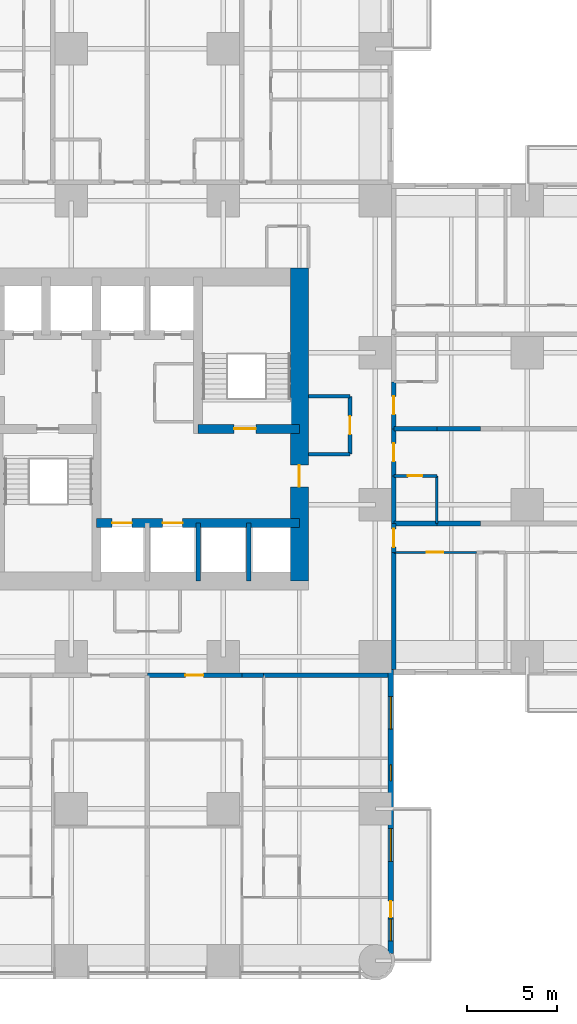
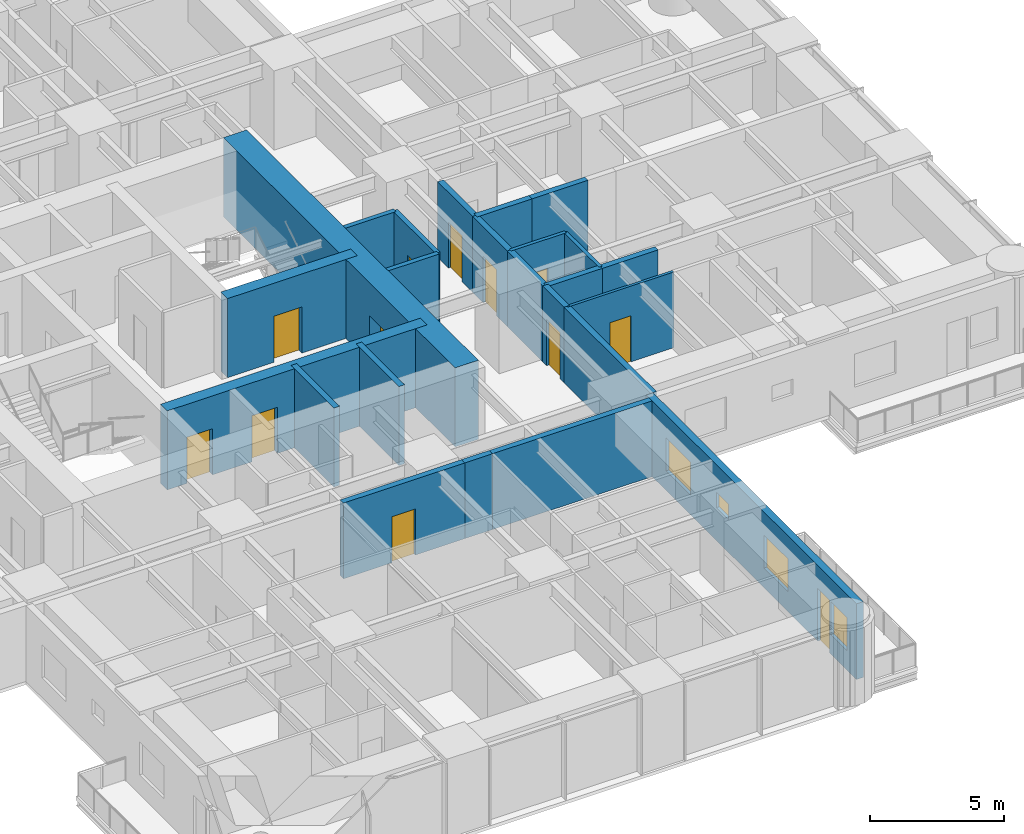
# One storey, part 10 of 17: 24 walls, 12 doors, 4 windows, 16 openings.
"""IFC4 building model written with IfcOpenShell, lengths in metres."""

from ifc_helpers import new_model, si_unit, direction, frame, frame_2d, origin, place, context, subcontext, project, spatial, rectangle, extrude, material, layer, layer_set, type_object, element, fill, save


model = new_model("IFC4")

# Units and contexts
model_context = context("Model", 3, precision=1e-05, world=origin(), true_north=direction((0.0, 1.0)))
body_context = subcontext(model_context, "Body", "Model", "MODEL_VIEW")
ifc_project = project(units=[si_unit("LENGTHUNIT", "METRE"), si_unit("AREAUNIT", "SQUARE_METRE"), si_unit("VOLUMEUNIT", "CUBIC_METRE"), si_unit("PLANEANGLEUNIT", "RADIAN"), si_unit("MASSUNIT", "GRAM", prefix="KILO")], contexts=[model_context])

# Site, building, storey
site_placement = place(None, origin())
site = spatial("IfcSite", under=ifc_project, at=site_placement, CompositionType="ELEMENT")
building_placement = place(site_placement, origin())
building = spatial("IfcBuilding", under=site, at=building_placement, Name="Torre Alcanfor", CompositionType="ELEMENT")
storey_placement = place(building_placement, frame((0.0, 0.0, 84.89990234375)))
storey = spatial("IfcBuildingStorey", under=building, at=storey_placement, Name="L21", CompositionType="ELEMENT", Elevation=84.89990234375)

# Wall, opening, door
ifc_material_1 = material(Name="Concrete block masonry, hollow blocks NMX-C-404 9 MPa", Category="masonry")
ifc_layer_1 = layer(ifc_material_1, 0.25)
ifc_layer_set_1 = layer_set([ifc_layer_1], Name="Apartment entrance wall 250 EI 60")
wall_type_1 = type_object("IfcWallType", Name="Apartment entrance wall 250 EI 60", PredefinedType="PARTITIONING", material=ifc_layer_set_1)
wall_1_placement = place(storey_placement, frame((43.02490234375, 32.0, 0.0), z_axis=(0.0, 0.0, 1.0), x_axis=(0.0, -1.0, 0.0)))
wall_1 = element("IfcWall", 1, at=wall_1_placement, inside=storey, type_object=wall_type_1, Name="Partition L21-CORR / L21-E1A-FOYER", PredefinedType="PARTITIONING", context=body_context, shape_type="SweptSolid", body=[
    extrude(rectangle(XDim=2.60009765625, YDim=0.25, at=frame_2d((1.300048828125, 0.0))), origin(), (0.0, 0.0, 1.0), 3.4501953125),
])
opening_1_placement = place(wall_1_placement, frame((0.800048828125, 0.0, 0.0)))
opening_1 = element("IfcOpeningElement", 2, at=opening_1_placement, cuts=wall_1, Name="Opening D-A1", PredefinedType="OPENING", context=body_context, shape_type="SweptSolid", body=[
    extrude(rectangle(XDim=1.0, YDim=2.10009765625, at=frame_2d((0.5, 1.050048828125))), frame((0.0, 0.135009765625, 0.0), z_axis=(0.0, -1.0, 0.0), x_axis=(1.0, 0.0, 0.0)), (0.0, 0.0, 1.0), 0.27001953125),
])
ifc_material_2 = material(Name="Galvanised steel sheet ASTM A653", Category="steel")
door_type_1 = type_object("IfcDoorType", Name="Apartment entrance door FD60 1000x2100", OperationType="SINGLE_SWING_LEFT", PredefinedType="DOOR", material=ifc_material_2)
door_1_placement = place(opening_1_placement, origin())
door_1 = element("IfcDoor", 3, at=door_1_placement, inside=storey, type_object=door_type_1, Name="Apartment entrance L21-E1A", OperationType="SINGLE_SWING_LEFT", OverallHeight=2.10009765625, OverallWidth=1.0, PredefinedType="DOOR", context=body_context, shape_type="SweptSolid", body=[
    extrude(rectangle(XDim=1.0, YDim=2.10009765625, at=frame_2d((0.5, 1.050048828125))), frame((0.0, 0.02490234375, 0.0), z_axis=(0.0, -1.0, 0.0), x_axis=(1.0, 0.0, 0.0)), (0.0, 0.0, 1.0), 0.050048828125),
])
fill(opening_1, door_1)

wall_2_placement = place(storey_placement, frame((43.02490234375, 29.39990234375, 0.0), z_axis=(0.0, 0.0, 1.0), x_axis=(0.0, -1.0, 0.0)))
wall_2 = element("IfcWall", 4, at=wall_2_placement, inside=storey, type_object=wall_type_1, Name="Partition L21-CORR / L21-E2A-FOYER", PredefinedType="PARTITIONING", context=body_context, shape_type="SweptSolid", body=[
    extrude(rectangle(XDim=2.599853515625, YDim=0.25, at=frame_2d((1.2998046875, 0.0))), origin(), (0.0, 0.0, 1.0), 3.4501953125),
])
opening_2_placement = place(wall_2_placement, frame((0.800048828125, 0.0, 0.0)))
opening_2 = element("IfcOpeningElement", 5, at=opening_2_placement, cuts=wall_2, Name="Opening D-A1", PredefinedType="OPENING", context=body_context, shape_type="SweptSolid", body=[
    extrude(rectangle(XDim=1.0, YDim=2.10009765625, at=frame_2d((0.5, 1.050048828125))), frame((0.0, 0.135009765625, 0.0), z_axis=(0.0, -1.0, 0.0), x_axis=(1.0, 0.0, 0.0)), (0.0, 0.0, 1.0), 0.27001953125),
])
door_2_placement = place(opening_2_placement, origin())
door_2 = element("IfcDoor", 6, at=door_2_placement, inside=storey, type_object=door_type_1, Name="Apartment entrance L21-E2A", OperationType="SINGLE_SWING_LEFT", OverallHeight=2.10009765625, OverallWidth=1.0, PredefinedType="DOOR", context=body_context, shape_type="SweptSolid", body=[
    extrude(rectangle(XDim=1.0, YDim=2.10009765625, at=frame_2d((0.5, 1.050048828125))), frame((0.0, 0.02490234375, 0.0), z_axis=(0.0, -1.0, 0.0), x_axis=(1.0, 0.0, 0.0)), (0.0, 0.0, 1.0), 0.050048828125),
])
fill(opening_2, door_2)

# Wall
wall_3_placement = place(storey_placement, frame((43.02490234375, 26.800048828125, 0.0), z_axis=(0.0, 0.0, 1.0), x_axis=(0.0, -1.0, 0.0)))
element("IfcWall", 7, at=wall_3_placement, inside=storey, type_object=wall_type_1, Name="Partition L21-CORR / L21-E2A-BATH", PredefinedType="PARTITIONING", context=body_context, shape_type="SweptSolid", body=[
    extrude(rectangle(XDim=2.629150390625, YDim=0.25, at=frame_2d((1.314453125, 0.0))), origin(), (0.0, 0.0, 1.0), 3.4501953125),
])

# Wall, opening, door
wall_4_placement = place(storey_placement, frame((43.02490234375, 24.1708984375, 0.0), z_axis=(0.0, 0.0, 1.0), x_axis=(0.0, -1.0, 0.0)))
wall_4 = element("IfcWall", 8, at=wall_4_placement, inside=storey, type_object=wall_type_1, Name="Partition L21-CORR / L21-E2B-HALL", PredefinedType="PARTITIONING", context=body_context, shape_type="SweptSolid", body=[
    extrude(rectangle(XDim=1.599853515625, YDim=0.25, at=frame_2d((0.7998046875, 0.0))), origin(), (0.0, 0.0, 1.0), 3.4501953125),
])
opening_3_placement = place(wall_4_placement, frame((0.300048828125, 0.0, 0.0)))
opening_3 = element("IfcOpeningElement", 9, at=opening_3_placement, cuts=wall_4, Name="Opening D-A1", PredefinedType="OPENING", context=body_context, shape_type="SweptSolid", body=[
    extrude(rectangle(XDim=1.0, YDim=2.10009765625, at=frame_2d((0.5, 1.050048828125))), frame((0.0, 0.135009765625, 0.0), z_axis=(0.0, -1.0, 0.0), x_axis=(1.0, 0.0, 0.0)), (0.0, 0.0, 1.0), 0.27001953125),
])
door_3_placement = place(opening_3_placement, origin())
door_3 = element("IfcDoor", 10, at=door_3_placement, inside=storey, type_object=door_type_1, Name="Apartment entrance L21-E2B", OperationType="SINGLE_SWING_LEFT", OverallHeight=2.10009765625, OverallWidth=1.0, PredefinedType="DOOR", context=body_context, shape_type="SweptSolid", body=[
    extrude(rectangle(XDim=1.0, YDim=2.10009765625, at=frame_2d((0.5, 1.050048828125))), frame((0.0, 0.02490234375, 0.0), z_axis=(0.0, -1.0, 0.0), x_axis=(1.0, 0.0, 0.0)), (0.0, 0.0, 1.0), 0.050048828125),
])
fill(opening_3, door_3)

# Wall
wall_5_placement = place(storey_placement, frame((43.02490234375, 22.571044921875, 0.0), z_axis=(0.0, 0.0, 1.0), x_axis=(0.0, -1.0, 0.0)))
element("IfcWall", 11, at=wall_5_placement, inside=storey, type_object=wall_type_1, Name="Partition L21-CORR / L21-E2B-MASTER", PredefinedType="PARTITIONING", context=body_context, shape_type="SweptSolid", body=[
    extrude(rectangle(XDim=6.470947265625, YDim=0.25, at=frame_2d((3.2353515625, 0.0))), origin(), (0.0, 0.0, 1.0), 3.4501953125),
])

# Wall, opening, door
wall_6_placement = place(storey_placement, frame((34.62890625, 15.77490234375, 0.0), z_axis=(0.0, 0.0, 1.0), x_axis=(-1.0, 0.0, 0.0)))
wall_6 = element("IfcWall", 12, at=wall_6_placement, inside=storey, type_object=wall_type_1, Name="Partition L21-CORR / L21-S1-ZAG", PredefinedType="PARTITIONING", context=body_context, shape_type="SweptSolid", body=[
    extrude(rectangle(XDim=5.22900390625, YDim=0.25, at=frame_2d((2.614501953125, 0.0))), origin(), (0.0, 0.0, 1.0), 3.4501953125),
])
opening_4_placement = place(wall_6_placement, frame((2.12890625, 0.0, 0.0)))
opening_4 = element("IfcOpeningElement", 13, at=opening_4_placement, cuts=wall_6, Name="Opening D-A1", PredefinedType="OPENING", context=body_context, shape_type="SweptSolid", body=[
    extrude(rectangle(XDim=1.0, YDim=2.10009765625, at=frame_2d((0.5, 1.050048828125))), frame((0.0, 0.135009765625, 0.0), z_axis=(0.0, -1.0, 0.0), x_axis=(1.0, 0.0, 0.0)), (0.0, 0.0, 1.0), 0.27001953125),
])
door_4_placement = place(opening_4_placement, origin())
door_4 = element("IfcDoor", 14, at=door_4_placement, inside=storey, type_object=door_type_1, Name="Apartment entrance L21-S1", OperationType="SINGLE_SWING_RIGHT", OverallHeight=2.10009765625, OverallWidth=1.0, PredefinedType="DOOR", context=body_context, shape_type="SweptSolid", body=[
    extrude(rectangle(XDim=1.0, YDim=2.10009765625, at=frame_2d((0.5, 1.050048828125))), frame((0.0, 0.02490234375, 0.0), z_axis=(0.0, -1.0, 0.0), x_axis=(1.0, 0.0, 0.0)), (0.0, 0.0, 1.0), 0.050048828125),
])
fill(opening_4, door_4)

# Walls
wall_7_placement = place(storey_placement, frame((35.8291015625, 15.77490234375, 0.0), z_axis=(0.0, 0.0, 1.0), x_axis=(-1.0, 0.0, 0.0)))
element("IfcWall", 15, at=wall_7_placement, inside=storey, type_object=wall_type_1, Name="Partition L21-CORR / L21-S1-HALL", PredefinedType="PARTITIONING", context=body_context, shape_type="SweptSolid", body=[
    extrude(rectangle(XDim=1.2001953125, YDim=0.25, at=frame_2d((0.60009765625, 0.0))), origin(), (0.0, 0.0, 1.0), 3.4501953125),
])
wall_8_placement = place(storey_placement, frame((42.699951171875, 15.77490234375, 0.0), z_axis=(0.0, 0.0, 1.0), x_axis=(-1.0, 0.0, 0.0)))
element("IfcWall", 16, at=wall_8_placement, inside=storey, type_object=wall_type_1, Name="Partition L21-CORR / L21-S1-BED2", PredefinedType="PARTITIONING", context=body_context, shape_type="SweptSolid", body=[
    extrude(rectangle(XDim=6.870849609375, YDim=0.25, at=frame_2d((3.435546875, 0.0))), origin(), (0.0, 0.0, 1.0), 3.4501953125),
])

# Wall, opening, door
ifc_material_3 = material(Name="Gypsum board on steel studs", Category="steel")
ifc_layer_2 = layer(ifc_material_3, 0.1201171875)
ifc_layer_set_2 = layer_set([ifc_layer_2], Name="Apartment partition 120")
wall_type_2 = type_object("IfcWallType", Name="Apartment partition 120", PredefinedType="PARTITIONING", material=ifc_layer_set_2)
wall_9_placement = place(storey_placement, frame((47.60009765625, 22.571044921875, 0.0), z_axis=(0.0, 0.0, 1.0), x_axis=(-1.0, 0.0, 0.0)))
wall_9 = element("IfcWall", 17, at=wall_9_placement, inside=storey, type_object=wall_type_2, Name="Partition L21-E2B-HALL / L21-E2B-MASTER", PredefinedType="PARTITIONING", context=body_context, shape_type="SweptSolid", body=[
    extrude(rectangle(XDim=4.5751953125, YDim=0.1201171875, at=frame_2d((2.28759765625, 0.0))), origin(), (0.0, 0.0, 1.0), 3.4501953125),
])
opening_5_placement = place(wall_9_placement, frame((1.85009765625, 0.0, 0.0)))
opening_5 = element("IfcOpeningElement", 18, at=opening_5_placement, cuts=wall_9, Name="Opening D-R1", PredefinedType="OPENING", context=body_context, shape_type="SweptSolid", body=[
    extrude(rectangle(XDim=0.89990234375, YDim=2.10009765625, at=frame_2d((0.449951171875, 1.050048828125))), frame((0.0, 0.070068359375, 0.0), z_axis=(0.0, -1.0, 0.0), x_axis=(1.0, 0.0, 0.0)), (0.0, 0.0, 1.0), 0.14013671875),
])
ifc_material_4 = material(Name="Timber", Category="wood")
door_type_2 = type_object("IfcDoorType", Name="Internal door 900x2100", OperationType="SINGLE_SWING_LEFT", PredefinedType="DOOR", material=ifc_material_4)
door_5_placement = place(opening_5_placement, origin())
door_5 = element("IfcDoor", 19, at=door_5_placement, inside=storey, type_object=door_type_2, Name="Door L21-E2B master", OperationType="SINGLE_SWING_RIGHT", OverallHeight=2.10009765625, OverallWidth=0.89990234375, PredefinedType="DOOR", context=body_context, shape_type="SweptSolid", body=[
    extrude(rectangle(XDim=0.89990234375, YDim=2.10009765625, at=frame_2d((0.449951171875, 1.050048828125))), frame((0.0, 0.02490234375, 0.0), z_axis=(0.0, -1.0, 0.0), x_axis=(1.0, 0.0, 0.0)), (0.0, 0.0, 1.0), 0.050048828125),
])
fill(opening_5, door_5)

# Wall, openings, doors
ifc_material_5 = material(Name="Concrete f'c 70 MPa", Category="concrete")
ifc_layer_3 = layer(ifc_material_5, 0.5)
ifc_layer_set_3 = layer_set([ifc_layer_3], Name="Core inner wall 500 f'c70")
wall_type_3 = type_object("IfcWallType", Name="Core inner wall 500 f'c70", PredefinedType="SHEAR", material=ifc_layer_set_3)
wall_10_placement = place(storey_placement, frame((26.60009765625, 24.199951171875, 0.0), z_axis=(0.0, 0.0, 1.0), x_axis=(1.0, 0.0, 0.0)))
wall_10 = element("IfcWall", 20, at=wall_10_placement, inside=storey, type_object=wall_type_3, Name="Core wall Y242 L21", PredefinedType="SHEAR", context=body_context, shape_type="SweptSolid", body=[
    extrude(rectangle(XDim=11.199951171875, YDim=0.5, at=frame_2d((5.60009765625, 0.0))), origin(), (0.0, 0.0, 1.0), 3.60009765625),
])
opening_6_placement = place(wall_10_placement, frame((0.85009765625, 0.0, 0.0)))
opening_6 = element("IfcOpeningElement", 21, at=opening_6_placement, cuts=wall_10, Name="Opening LD1", PredefinedType="OPENING", context=body_context, shape_type="SweptSolid", body=[
    extrude(rectangle(XDim=1.10009765625, YDim=2.10009765625, at=frame_2d((0.550048828125, 1.050048828125))), frame((0.0, 0.260009765625, 0.0), z_axis=(0.0, -1.0, 0.0), x_axis=(1.0, 0.0, 0.0)), (0.0, 0.0, 1.0), 0.52001953125),
])
opening_7_placement = place(wall_10_placement, frame((3.64990234375, 0.0, 0.0)))
opening_7 = element("IfcOpeningElement", 22, at=opening_7_placement, cuts=wall_10, Name="Opening LD1", PredefinedType="OPENING", context=body_context, shape_type="SweptSolid", body=[
    extrude(rectangle(XDim=1.10009765625, YDim=2.10009765625, at=frame_2d((0.550048828125, 1.050048828125))), frame((0.0, 0.260009765625, 0.0), z_axis=(0.0, -1.0, 0.0), x_axis=(1.0, 0.0, 0.0)), (0.0, 0.0, 1.0), 0.52001953125),
])
ifc_material_6 = material(Name="Galvanised steel sheet ASTM A653", Category="steel")
door_type_3 = type_object("IfcDoorType", Name="Lift landing door 1100x2100", OperationType="DOUBLE_DOOR_SLIDING", PredefinedType="DOOR", material=ifc_material_6)
door_6_placement = place(opening_6_placement, origin())
door_6 = element("IfcDoor", 23, at=door_6_placement, inside=storey, type_object=door_type_3, Name="Lift landing door PA1 L21", OperationType="DOUBLE_DOOR_SLIDING", OverallHeight=2.10009765625, OverallWidth=1.10009765625, PredefinedType="DOOR", context=body_context, shape_type="SweptSolid", body=[
    extrude(rectangle(XDim=1.10009765625, YDim=2.10009765625, at=frame_2d((0.550048828125, 1.050048828125))), frame((0.0, 0.02490234375, 0.0), z_axis=(0.0, -1.0, 0.0), x_axis=(1.0, 0.0, 0.0)), (0.0, 0.0, 1.0), 0.050048828125),
])
fill(opening_6, door_6)
door_7_placement = place(opening_7_placement, origin())
door_7 = element("IfcDoor", 24, at=door_7_placement, inside=storey, type_object=door_type_3, Name="Lift landing door PA2 L21", OperationType="DOUBLE_DOOR_SLIDING", OverallHeight=2.10009765625, OverallWidth=1.10009765625, PredefinedType="DOOR", context=body_context, shape_type="SweptSolid", body=[
    extrude(rectangle(XDim=1.10009765625, YDim=2.10009765625, at=frame_2d((0.550048828125, 1.050048828125))), frame((0.0, 0.02490234375, 0.0), z_axis=(0.0, -1.0, 0.0), x_axis=(1.0, 0.0, 0.0)), (0.0, 0.0, 1.0), 0.050048828125),
])
fill(opening_7, door_7)

# Wall, opening, door
wall_11_placement = place(storey_placement, frame((32.199951171875, 29.39990234375, 0.0), z_axis=(0.0, 0.0, 1.0), x_axis=(1.0, 0.0, 0.0)))
wall_11 = element("IfcWall", 25, at=wall_11_placement, inside=storey, type_object=wall_type_3, Name="Core wall Y294E L21", PredefinedType="SHEAR", context=body_context, shape_type="SweptSolid", body=[
    extrude(rectangle(XDim=5.60009765625, YDim=0.5, at=frame_2d((2.800048828125, 0.0))), origin(), (0.0, 0.0, 1.0), 3.60009765625),
])
opening_8_placement = place(wall_11_placement, frame((2.0, 0.0, 0.0)))
opening_8 = element("IfcOpeningElement", 26, at=opening_8_placement, cuts=wall_11, Name="Opening D-S2", PredefinedType="OPENING", context=body_context, shape_type="SweptSolid", body=[
    extrude(rectangle(XDim=1.199951171875, YDim=2.10009765625, at=frame_2d((0.60009765625, 1.050048828125))), frame((0.0, 0.260009765625, 0.0), z_axis=(0.0, -1.0, 0.0), x_axis=(1.0, 0.0, 0.0)), (0.0, 0.0, 1.0), 0.52001953125),
])
ifc_material_7 = material(Name="Galvanised steel sheet ASTM A653", Category="steel")
door_type_4 = type_object("IfcDoorType", Name="Stair enclosure door FD120 1200x2100", OperationType="SINGLE_SWING_LEFT", PredefinedType="DOOR", material=ifc_material_7)
door_8_placement = place(opening_8_placement, origin())
door_8 = element("IfcDoor", 27, at=door_8_placement, inside=storey, type_object=door_type_4, Name="Stair S2 door L21", OperationType="SINGLE_SWING_LEFT", OverallHeight=2.10009765625, OverallWidth=1.199951171875, PredefinedType="DOOR", context=body_context, shape_type="SweptSolid", body=[
    extrude(rectangle(XDim=1.199951171875, YDim=2.10009765625, at=frame_2d((0.60009765625, 1.050048828125))), frame((0.0, 0.02490234375, 0.0), z_axis=(0.0, -1.0, 0.0), x_axis=(1.0, 0.0, 0.0)), (0.0, 0.0, 1.0), 0.050048828125),
])
fill(opening_8, door_8)

# Walls
ifc_material_8 = material(Name="Concrete f'c 70 MPa", Category="concrete")
ifc_layer_4 = layer(ifc_material_8, 0.25)
ifc_layer_set_4 = layer_set([ifc_layer_4], Name="Core shaft wall 250 f'c70")
wall_type_4 = type_object("IfcWallType", Name="Core shaft wall 250 f'c70", PredefinedType="SHEAR", material=ifc_layer_set_4)
for number, where, z_axis, x_axis, name in (
    (28, (32.199951171875, 21.0, 0.0), (0.0, 0.0, 1.0), (0.0, 1.0, 0.0), "Core wall X322S L21"),
    (29, (35.0, 21.0, 0.0), (0.0, 0.0, 1.0), (0.0, 1.0, 0.0), "Core wall X350S L21"),
):
    element("IfcWall", number, at=place(storey_placement, frame(where, z_axis=z_axis, x_axis=x_axis)), inside=storey, type_object=wall_type_4, Name=name, PredefinedType="SHEAR", context=body_context, shape_type="SweptSolid", body=[
        extrude(rectangle(XDim=3.199951171875, YDim=0.25, at=frame_2d((1.60009765625, 0.0))), origin(), (0.0, 0.0, 1.0), 3.60009765625),
    ])

# Wall, opening, door
ifc_material_9 = material(Name="Concrete f'c 70 MPa", Category="concrete")
ifc_layer_5 = layer(ifc_material_9, 1.0)
ifc_layer_set_5 = layer_set([ifc_layer_5], Name="Core wall 1000 f'c70")
wall_type_5 = type_object("IfcWallType", Name="Core wall 1000 f'c70", PredefinedType="SHEAR", material=ifc_layer_set_5)
wall_12_placement = place(storey_placement, frame((37.800048828125, 21.0, 0.0), z_axis=(0.0, 0.0, 1.0), x_axis=(0.0, 1.0, 0.0)))
wall_12 = element("IfcWall", 30, at=wall_12_placement, inside=storey, type_object=wall_type_5, Name="Core wall OUT-E L21", PredefinedType="SHEAR", context=body_context, shape_type="SweptSolid", body=[
    extrude(rectangle(XDim=17.300048828125, YDim=1.0, at=frame_2d((8.64990234375, 0.0))), origin(), (0.0, 0.0, 1.0), 3.60009765625),
])
opening_9_placement = place(wall_12_placement, frame((5.199951171875, 0.0, 0.0)))
opening_9 = element("IfcOpeningElement", 31, at=opening_9_placement, cuts=wall_12, Name="Opening D-L1", PredefinedType="OPENING", context=body_context, shape_type="SweptSolid", body=[
    extrude(rectangle(XDim=1.199951171875, YDim=2.10009765625, at=frame_2d((0.60009765625, 1.050048828125))), frame((0.0, 0.510009765625, 0.0), z_axis=(0.0, -1.0, 0.0), x_axis=(1.0, 0.0, 0.0)), (0.0, 0.0, 1.0), 1.02001953125),
])
ifc_material_10 = material(Name="Galvanised steel sheet ASTM A653", Category="steel")
door_type_5 = type_object("IfcDoorType", Name="Lobby door FD120 1200x2100", OperationType="SINGLE_SWING_LEFT", PredefinedType="DOOR", material=ifc_material_10)
door_9_placement = place(opening_9_placement, origin())
door_9 = element("IfcDoor", 32, at=door_9_placement, inside=storey, type_object=door_type_5, Name="Lift lobby entrance door L21", OperationType="SINGLE_SWING_LEFT", OverallHeight=2.10009765625, OverallWidth=1.199951171875, PredefinedType="DOOR", context=body_context, shape_type="SweptSolid", body=[
    extrude(rectangle(XDim=1.199951171875, YDim=2.10009765625, at=frame_2d((0.60009765625, 1.050048828125))), frame((0.0, 0.02490234375, 0.0), z_axis=(0.0, -1.0, 0.0), x_axis=(1.0, 0.0, 0.0)), (0.0, 0.0, 1.0), 0.050048828125),
])
fill(opening_9, door_9)

# Wall, openings, door, windows
ifc_material_11 = material(Name="Limestone cladding", Category="masonry")
ifc_layer_6 = layer(ifc_material_11, 0.0400390625, Name="Facing")
ifc_material_12 = material(Name="Ventilated air cavity")
ifc_layer_7 = layer(ifc_material_12, 0.02001953125, ventilated=True, Name="Ventilated joint")
ifc_material_13 = material(Name="Mineral wool insulation", Category="insulation")
ifc_layer_8 = layer(ifc_material_13, 0.10009765625, Name="Insulation")
ifc_material_14 = material(Name="Concrete f'c 35 MPa", Category="concrete")
ifc_layer_9 = layer(ifc_material_14, 0.139892578125, Name="Backing")
ifc_layer_set_6 = layer_set([ifc_layer_6, ifc_layer_7, ifc_layer_8, ifc_layer_9], Name="External wall stone-clad 300")
wall_type_6 = type_object("IfcWallType", Name="External wall stone-clad 300", PredefinedType="SOLIDWALL", material=ifc_layer_set_6)
wall_13_placement = place(storey_placement, frame((42.85009765625, 0.39990234375, 0.0), z_axis=(0.0, 0.0, 1.0), x_axis=(0.0, 1.0, 0.0)))
wall_13 = element("IfcWall", 33, at=wall_13_placement, inside=storey, type_object=wall_type_6, Name="External wall L21 6", PredefinedType="SOLIDWALL", context=body_context, shape_type="SweptSolid", body=[
    extrude(rectangle(XDim=15.7001953125, YDim=0.300048828125, at=frame_2d((7.85009765625, 0.0))), origin(), (0.0, 0.0, 1.0), 3.4501953125),
])
opening_10_placement = place(wall_13_placement, frame((12.39990234375, 0.0, 0.89990234375)))
opening_10 = element("IfcOpeningElement", 34, at=opening_10_placement, cuts=wall_13, Name="Opening W2", PredefinedType="OPENING", context=body_context, shape_type="SweptSolid", body=[
    extrude(rectangle(XDim=1.800048828125, YDim=1.5, at=frame_2d((0.89990234375, 0.75))), frame((0.0, 0.159912109375, 0.0), z_axis=(0.0, -1.0, 0.0), x_axis=(1.0, 0.0, 0.0)), (0.0, 0.0, 1.0), 0.320068359375),
])
opening_11_placement = place(wall_13_placement, frame((9.550048828125, 0.0, 1.5)))
opening_11 = element("IfcOpeningElement", 35, at=opening_11_placement, cuts=wall_13, Name="Opening W3", PredefinedType="OPENING", context=body_context, shape_type="SweptSolid", body=[
    extrude(rectangle(XDim=0.89990234375, YDim=0.699951171875, at=frame_2d((0.449951171875, 0.35009765625))), frame((0.0, 0.159912109375, 0.0), z_axis=(0.0, -1.0, 0.0), x_axis=(1.0, 0.0, 0.0)), (0.0, 0.0, 1.0), 0.320068359375),
])
opening_12_placement = place(wall_13_placement, frame((5.10009765625, 0.0, 0.89990234375)))
opening_12 = element("IfcOpeningElement", 36, at=opening_12_placement, cuts=wall_13, Name="Opening W2", PredefinedType="OPENING", context=body_context, shape_type="SweptSolid", body=[
    extrude(rectangle(XDim=1.800048828125, YDim=1.5, at=frame_2d((0.89990234375, 0.75))), frame((0.0, 0.159912109375, 0.0), z_axis=(0.0, -1.0, 0.0), x_axis=(1.0, 0.0, 0.0)), (0.0, 0.0, 1.0), 0.320068359375),
])
opening_13_placement = place(wall_13_placement, frame((2.0, 0.0, 0.0)))
opening_13 = element("IfcOpeningElement", 37, at=opening_13_placement, cuts=wall_13, Name="Opening D-B1", PredefinedType="OPENING", context=body_context, shape_type="SweptSolid", body=[
    extrude(rectangle(XDim=0.89990234375, YDim=2.39990234375, at=frame_2d((0.449951171875, 1.199951171875))), frame((0.0, 0.159912109375, 0.0), z_axis=(0.0, -1.0, 0.0), x_axis=(1.0, 0.0, 0.0)), (0.0, 0.0, 1.0), 0.320068359375),
])
opening_14_placement = place(wall_13_placement, frame((0.699951171875, 0.0, 0.89990234375)))
opening_14 = element("IfcOpeningElement", 38, at=opening_14_placement, cuts=wall_13, Name="Opening W4", PredefinedType="OPENING", context=body_context, shape_type="SweptSolid", body=[
    extrude(rectangle(XDim=1.199951171875, YDim=1.5, at=frame_2d((0.60009765625, 0.75))), frame((0.0, 0.159912109375, 0.0), z_axis=(0.0, -1.0, 0.0), x_axis=(1.0, 0.0, 0.0)), (0.0, 0.0, 1.0), 0.320068359375),
])
ifc_material_15 = material(Name="Aluminium and glass", Category="aluminium")
door_type_6 = type_object("IfcDoorType", Name="Balcony door glazed 900x2400", OperationType="SINGLE_SWING_LEFT", PredefinedType="DOOR", material=ifc_material_15)
door_10_placement = place(opening_13_placement, origin())
door_10 = element("IfcDoor", 39, at=door_10_placement, inside=storey, type_object=door_type_6, Name="Balcony door L21-S1", OperationType="SINGLE_SWING_RIGHT", OverallHeight=2.39990234375, OverallWidth=0.89990234375, PredefinedType="DOOR", context=body_context, shape_type="SweptSolid", body=[
    extrude(rectangle(XDim=0.89990234375, YDim=2.39990234375, at=frame_2d((0.449951171875, 1.199951171875))), frame((0.0, 0.02490234375, 0.0), z_axis=(0.0, -1.0, 0.0), x_axis=(1.0, 0.0, 0.0)), (0.0, 0.0, 1.0), 0.050048828125),
])
fill(opening_13, door_10)
ifc_material_16 = material(Name="Aluminium frame with clear double glazing", Category="aluminium")
window_type_1 = type_object("IfcWindowType", Name="Window bathroom 900x700", PartitioningType="SINGLE_PANEL", PredefinedType="WINDOW", material=ifc_material_16)
window_1_placement = place(opening_11_placement, origin())
window_1 = element("IfcWindow", 40, at=window_1_placement, inside=storey, type_object=window_type_1, Name="Window W3 L21-S1", OverallHeight=0.699951171875, OverallWidth=0.89990234375, PartitioningType="SINGLE_PANEL", PredefinedType="WINDOW", context=body_context, shape_type="SweptSolid", body=[
    extrude(rectangle(XDim=0.89990234375, YDim=0.699951171875, at=frame_2d((0.449951171875, 0.35009765625))), frame((0.0, 0.030029296875, 0.0), z_axis=(0.0, -1.0, 0.0), x_axis=(1.0, 0.0, 0.0)), (0.0, 0.0, 1.0), 0.06005859375),
])
fill(opening_11, window_1)
ifc_material_17 = material(Name="Aluminium frame with clear double glazing", Category="aluminium")
window_type_2 = type_object("IfcWindowType", Name="Window bedroom 1200x1500", PartitioningType="SINGLE_PANEL", PredefinedType="WINDOW", material=ifc_material_17)
window_2_placement = place(opening_14_placement, origin())
window_2 = element("IfcWindow", 41, at=window_2_placement, inside=storey, type_object=window_type_2, Name="Window W4 L21-S1", OverallHeight=1.5, OverallWidth=1.199951171875, PartitioningType="SINGLE_PANEL", PredefinedType="WINDOW", context=body_context, shape_type="SweptSolid", body=[
    extrude(rectangle(XDim=1.199951171875, YDim=1.5, at=frame_2d((0.60009765625, 0.75))), frame((0.0, 0.030029296875, 0.0), z_axis=(0.0, -1.0, 0.0), x_axis=(1.0, 0.0, 0.0)), (0.0, 0.0, 1.0), 0.06005859375),
])
fill(opening_14, window_2)
ifc_material_18 = material(Name="Aluminium frame with clear double glazing", Category="aluminium")
window_type_3 = type_object("IfcWindowType", Name="Window bedroom 1800x1500", PartitioningType="SINGLE_PANEL", PredefinedType="WINDOW", material=ifc_material_18)
window_3_placement = place(opening_10_placement, origin())
window_3 = element("IfcWindow", 42, at=window_3_placement, inside=storey, type_object=window_type_3, Name="Window W2 L21-S1", OverallHeight=1.5, OverallWidth=1.800048828125, PartitioningType="SINGLE_PANEL", PredefinedType="WINDOW", context=body_context, shape_type="SweptSolid", body=[
    extrude(rectangle(XDim=1.800048828125, YDim=1.5, at=frame_2d((0.89990234375, 0.75))), frame((0.0, 0.030029296875, 0.0), z_axis=(0.0, -1.0, 0.0), x_axis=(1.0, 0.0, 0.0)), (0.0, 0.0, 1.0), 0.06005859375),
])
fill(opening_10, window_3)
window_4_placement = place(opening_12_placement, origin())
window_4 = element("IfcWindow", 43, at=window_4_placement, inside=storey, type_object=window_type_3, Name="Window W2 L21-S1", OverallHeight=1.5, OverallWidth=1.800048828125, PartitioningType="SINGLE_PANEL", PredefinedType="WINDOW", context=body_context, shape_type="SweptSolid", body=[
    extrude(rectangle(XDim=1.800048828125, YDim=1.5, at=frame_2d((0.89990234375, 0.75))), frame((0.0, 0.030029296875, 0.0), z_axis=(0.0, -1.0, 0.0), x_axis=(1.0, 0.0, 0.0)), (0.0, 0.0, 1.0), 0.06005859375),
])
fill(opening_12, window_4)

# Walls
ifc_material_19 = material(Name="Concrete block masonry, hollow blocks NMX-C-404 9 MPa", Category="masonry")
ifc_layer_10 = layer(ifc_material_19, 0.25)
ifc_layer_set_7 = layer_set([ifc_layer_10], Name="Party wall 250 EI 60")
wall_type_7 = type_object("IfcWallType", Name="Party wall 250 EI 60", PredefinedType="PARTITIONING", material=ifc_layer_set_7)
wall_14_placement = place(storey_placement, frame((43.02490234375, 29.39990234375, 0.0), z_axis=(0.0, 0.0, 1.0), x_axis=(1.0, 0.0, 0.0)))
element("IfcWall", 44, at=wall_14_placement, inside=storey, type_object=wall_type_7, Name="Partition L21-E1A-FOYER / L21-E2A-FOYER", PredefinedType="PARTITIONING", context=body_context, shape_type="SweptSolid", body=[
    extrude(rectangle(XDim=2.375, YDim=0.25, at=frame_2d((1.1875, 0.0))), origin(), (0.0, 0.0, 1.0), 3.4501953125),
])
wall_15_placement = place(storey_placement, frame((45.39990234375, 29.39990234375, 0.0), z_axis=(0.0, 0.0, 1.0), x_axis=(1.0, 0.0, 0.0)))
element("IfcWall", 45, at=wall_15_placement, inside=storey, type_object=wall_type_7, Name="Partition L21-E1A-KITCHEN / L21-E2A-KITCHEN", PredefinedType="PARTITIONING", context=body_context, shape_type="SweptSolid", body=[
    extrude(rectangle(XDim=2.400146484375, YDim=0.25, at=frame_2d((1.2001953125, 0.0))), origin(), (0.0, 0.0, 1.0), 3.4501953125),
])
wall_16_placement = place(storey_placement, frame((45.39990234375, 24.1708984375, 0.0), z_axis=(0.0, 0.0, 1.0), x_axis=(-1.0, 0.0, 0.0)))
element("IfcWall", 46, at=wall_16_placement, inside=storey, type_object=wall_type_7, Name="Partition L21-E2A-BATH / L21-E2B-HALL", PredefinedType="PARTITIONING", context=body_context, shape_type="SweptSolid", body=[
    extrude(rectangle(XDim=2.375, YDim=0.25, at=frame_2d((1.1875, 0.0))), origin(), (0.0, 0.0, 1.0), 3.4501953125),
])
wall_17_placement = place(storey_placement, frame((47.800048828125, 24.1708984375, 0.0), z_axis=(0.0, 0.0, 1.0), x_axis=(-1.0, 0.0, 0.0)))
element("IfcWall", 47, at=wall_17_placement, inside=storey, type_object=wall_type_7, Name="Partition L21-E2A-KITCHEN / L21-E2B-HALL", PredefinedType="PARTITIONING", context=body_context, shape_type="SweptSolid", body=[
    extrude(rectangle(XDim=2.400146484375, YDim=0.25, at=frame_2d((1.2001953125, 0.0))), origin(), (0.0, 0.0, 1.0), 3.4501953125),
])
ifc_material_20 = material(Name="Concrete block masonry, hollow blocks NMX-C-404 9 MPa", Category="masonry")
ifc_layer_11 = layer(ifc_material_20, 0.199951171875)
ifc_layer_set_8 = layer_set([ifc_layer_11], Name="Plant room wall 200 EI 60")
wall_type_8 = type_object("IfcWallType", Name="Plant room wall 200 EI 60", PredefinedType="PARTITIONING", material=ifc_layer_set_8)
wall_18_placement = place(storey_placement, frame((38.300048828125, 28.0, 0.0), z_axis=(0.0, 0.0, 1.0), x_axis=(1.0, 0.0, 0.0)))
element("IfcWall", 48, at=wall_18_placement, inside=storey, type_object=wall_type_8, Name="Partition L21-CORR / L21-G02", PredefinedType="PARTITIONING", context=body_context, shape_type="SweptSolid", body=[
    extrude(rectangle(XDim=2.300048828125, YDim=0.199951171875, at=frame_2d((1.14990234375, 0.0))), origin(), (0.0, 0.0, 1.0), 3.4501953125),
])

# Wall, opening, door
wall_19_placement = place(storey_placement, frame((40.60009765625, 28.0, 0.0), z_axis=(0.0, 0.0, 1.0), x_axis=(0.0, 1.0, 0.0)))
wall_19 = element("IfcWall", 49, at=wall_19_placement, inside=storey, type_object=wall_type_8, Name="Partition L21-CORR / L21-G02", PredefinedType="PARTITIONING", context=body_context, shape_type="SweptSolid", body=[
    extrude(rectangle(XDim=3.199951171875, YDim=0.199951171875, at=frame_2d((1.60009765625, 0.0))), origin(), (0.0, 0.0, 1.0), 3.4501953125),
])
opening_15_placement = place(wall_19_placement, frame((1.10009765625, 0.0, 0.0)))
opening_15 = element("IfcOpeningElement", 50, at=opening_15_placement, cuts=wall_19, Name="Opening D-K1", PredefinedType="OPENING", context=body_context, shape_type="SweptSolid", body=[
    extrude(rectangle(XDim=1.0, YDim=2.10009765625, at=frame_2d((0.5, 1.050048828125))), frame((0.0, 0.10986328125, 0.0), z_axis=(0.0, -1.0, 0.0), x_axis=(1.0, 0.0, 0.0)), (0.0, 0.0, 1.0), 0.219970703125),
])
ifc_material_21 = material(Name="Galvanised steel sheet ASTM A653", Category="steel")
door_type_7 = type_object("IfcDoorType", Name="Core room door FD60 1000x2100", OperationType="SINGLE_SWING_LEFT", PredefinedType="DOOR", material=ifc_material_21)
door_11_placement = place(opening_15_placement, origin())
door_11 = element("IfcDoor", 51, at=door_11_placement, inside=storey, type_object=door_type_7, Name="Door L21-G02 refuse and recycling store", OperationType="SINGLE_SWING_LEFT", OverallHeight=2.10009765625, OverallWidth=1.0, PredefinedType="DOOR", context=body_context, shape_type="SweptSolid", body=[
    extrude(rectangle(XDim=1.0, YDim=2.10009765625, at=frame_2d((0.5, 1.050048828125))), frame((0.0, 0.02490234375, 0.0), z_axis=(0.0, -1.0, 0.0), x_axis=(1.0, 0.0, 0.0)), (0.0, 0.0, 1.0), 0.050048828125),
])
fill(opening_15, door_11)

# Wall
wall_20_placement = place(storey_placement, frame((40.60009765625, 31.199951171875, 0.0), z_axis=(0.0, 0.0, 1.0), x_axis=(-1.0, 0.0, 0.0)))
element("IfcWall", 52, at=wall_20_placement, inside=storey, type_object=wall_type_8, Name="Partition L21-CORR / L21-G02", PredefinedType="PARTITIONING", context=body_context, shape_type="SweptSolid", body=[
    extrude(rectangle(XDim=2.300048828125, YDim=0.199951171875, at=frame_2d((1.14990234375, 0.0))), origin(), (0.0, 0.0, 1.0), 3.4501953125),
])

# Wall, opening, door
ifc_material_22 = material(Name="Cement board on steel studs", Category="steel")
ifc_layer_12 = layer(ifc_material_22, 0.14990234375)
ifc_layer_set_9 = layer_set([ifc_layer_12], Name="Wet area partition 150")
wall_type_9 = type_object("IfcWallType", Name="Wet area partition 150", PredefinedType="PARTITIONING", material=ifc_layer_set_9)
wall_21_placement = place(storey_placement, frame((45.39990234375, 26.800048828125, 0.0), z_axis=(0.0, 0.0, 1.0), x_axis=(-1.0, 0.0, 0.0)))
wall_21 = element("IfcWall", 53, at=wall_21_placement, inside=storey, type_object=wall_type_9, Name="Partition L21-E2A-FOYER / L21-E2A-BATH", PredefinedType="PARTITIONING", context=body_context, shape_type="SweptSolid", body=[
    extrude(rectangle(XDim=2.375, YDim=0.14990234375, at=frame_2d((1.1875, 0.0))), origin(), (0.0, 0.0, 1.0), 3.4501953125),
])
opening_16_placement = place(wall_21_placement, frame((0.800048828125, 0.0, 0.0)))
opening_16 = element("IfcOpeningElement", 54, at=opening_16_placement, cuts=wall_21, Name="Opening D-R2", PredefinedType="OPENING", context=body_context, shape_type="SweptSolid", body=[
    extrude(rectangle(XDim=0.800048828125, YDim=2.10009765625, at=frame_2d((0.39990234375, 1.050048828125))), frame((0.0, 0.0849609375, 0.0), z_axis=(0.0, -1.0, 0.0), x_axis=(1.0, 0.0, 0.0)), (0.0, 0.0, 1.0), 0.169921875),
])
ifc_material_23 = material(Name="Timber", Category="wood")
door_type_8 = type_object("IfcDoorType", Name="Bathroom door 800x2100", OperationType="SINGLE_SWING_LEFT", PredefinedType="DOOR", material=ifc_material_23)
door_12_placement = place(opening_16_placement, origin())
door_12 = element("IfcDoor", 55, at=door_12_placement, inside=storey, type_object=door_type_8, Name="Door L21-E2A bath", OperationType="SINGLE_SWING_RIGHT", OverallHeight=2.10009765625, OverallWidth=0.800048828125, PredefinedType="DOOR", context=body_context, shape_type="SweptSolid", body=[
    extrude(rectangle(XDim=0.800048828125, YDim=2.10009765625, at=frame_2d((0.39990234375, 1.050048828125))), frame((0.0, 0.02490234375, 0.0), z_axis=(0.0, -1.0, 0.0), x_axis=(1.0, 0.0, 0.0)), (0.0, 0.0, 1.0), 0.050048828125),
])
fill(opening_16, door_12)

# Wall
wall_22_placement = place(storey_placement, frame((45.39990234375, 26.800048828125, 0.0), z_axis=(0.0, 0.0, 1.0), x_axis=(0.0, -1.0, 0.0)))
element("IfcWall", 56, at=wall_22_placement, inside=storey, type_object=wall_type_9, Name="Partition L21-E2A-BATH / L21-E2A-KITCHEN", PredefinedType="PARTITIONING", context=body_context, shape_type="SweptSolid", body=[
    extrude(rectangle(XDim=2.629150390625, YDim=0.14990234375, at=frame_2d((1.314453125, 0.0))), origin(), (0.0, 0.0, 1.0), 3.4501953125),
])

save(model, "model.ifc")
